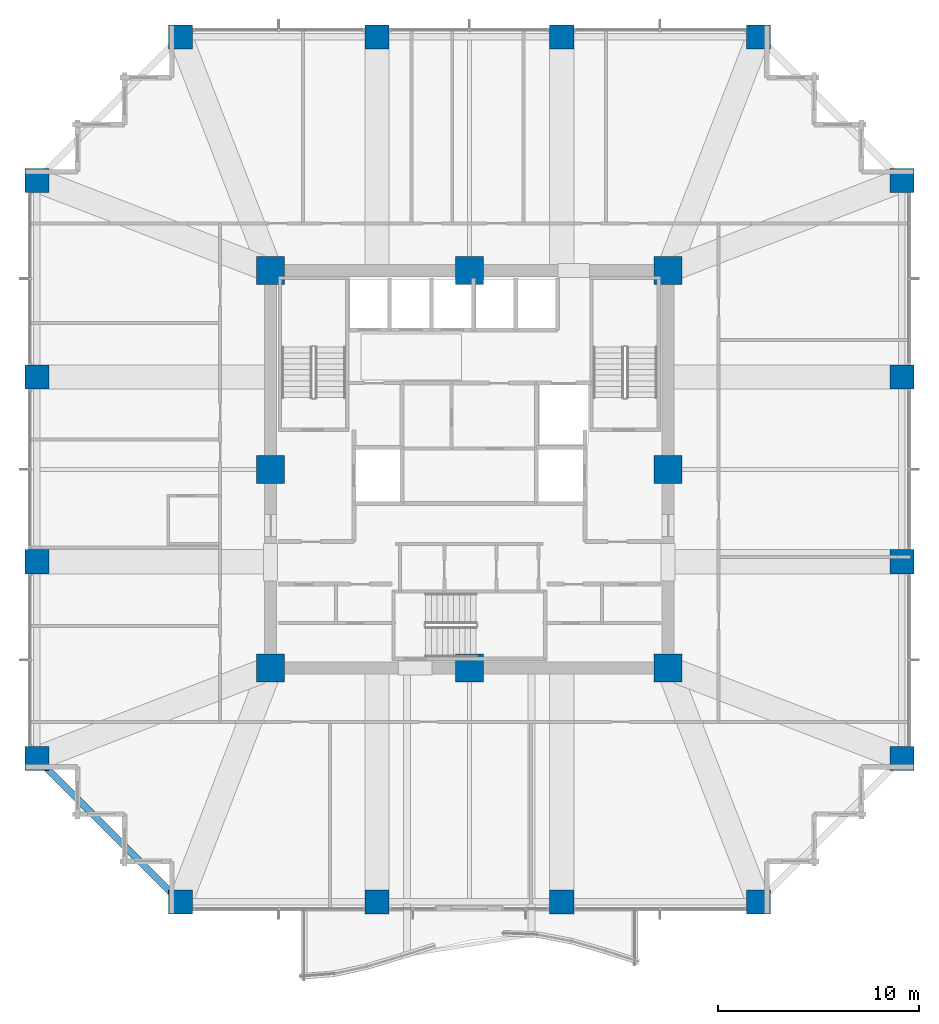
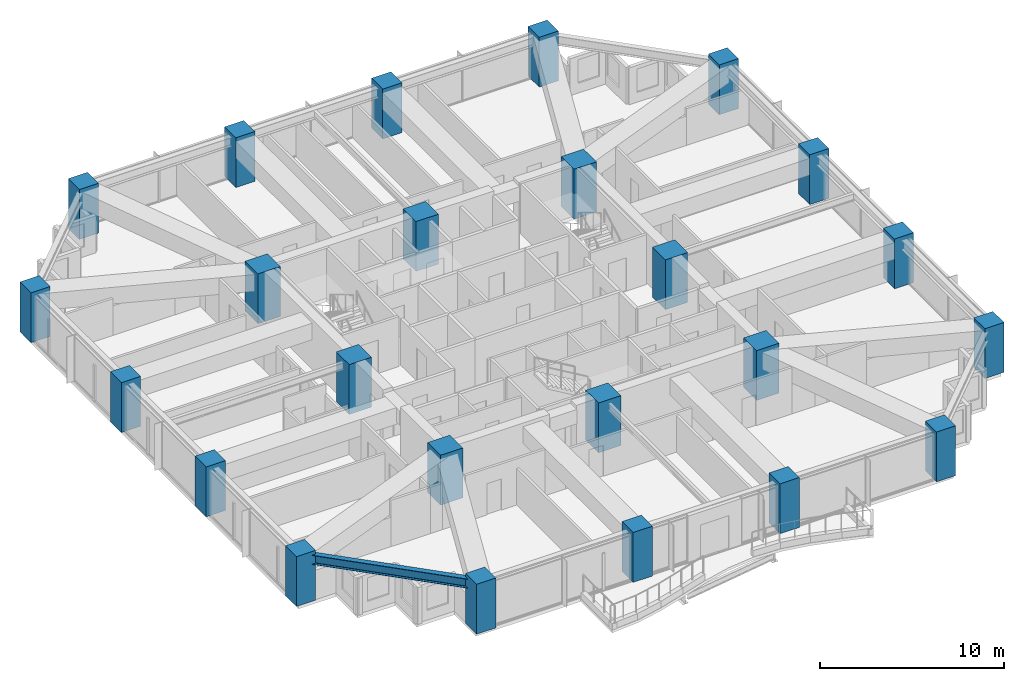
# One storey, part 1 of 37: 24 columns, 1 beam.
"""IFC4 building model written with IfcOpenShell, lengths in metres."""

from ifc_helpers import new_model, si_unit, direction, frame, origin, origin_2d, place, context, subcontext, project, spatial, rectangle, i_section, extrude, material, material_profile, profile_set, type_object, element, save


model = new_model("IFC4")

# Units and contexts
model_context = context("Model", 3, precision=1e-05, world=origin(), true_north=direction((0.0, 1.0)))
body_context = subcontext(model_context, "Body", "Model", "MODEL_VIEW")
ifc_project = project(units=[si_unit("LENGTHUNIT", "METRE"), si_unit("AREAUNIT", "SQUARE_METRE"), si_unit("VOLUMEUNIT", "CUBIC_METRE"), si_unit("PLANEANGLEUNIT", "RADIAN"), si_unit("MASSUNIT", "GRAM", prefix="KILO")], contexts=[model_context])

# Site, building, storey
site_placement = place(None, origin())
site = spatial("IfcSite", under=ifc_project, at=site_placement, CompositionType="ELEMENT")
building_placement = place(site_placement, origin())
building = spatial("IfcBuilding", under=site, at=building_placement, Name="Kolvaren Belvedere", CompositionType="ELEMENT")
storey_placement = place(building_placement, frame((0.0, 0.0, 37.0)))
storey = spatial("IfcBuildingStorey", under=building, at=storey_placement, Name="L10", CompositionType="ELEMENT", Elevation=37.0)

# Columns
ifc_material_1 = material(Name="Concrete C60/75", Category="concrete")
ifc_material_profile_1 = material_profile(ifc_material_1, rectangle(XDim=1.199951171875, YDim=1.199951171875, at=origin_2d()), Name="RC 1200X1200")
ifc_profile_set_1 = profile_set([ifc_material_profile_1], Name="Concrete C60/75")
column_type_1 = type_object("IfcColumnType", Name="COL-RC-1200", PredefinedType="COLUMN", material=ifc_profile_set_1)
for number, where, z_axis, x_axis, name in (
    (1, (-14.39990234375, -21.550048828125, 0.0), (0.0, 0.0, 1.0), (1.0, 0.0, 0.0), "L10 Perimeter Column S1"),
    (2, (-4.60009765625, -21.550048828125, 0.0), (0.0, 0.0, 1.0), (1.0, 0.0, 0.0), "L10 Perimeter Column S2"),
    (3, (4.60009765625, -21.550048828125, 0.0), (0.0, 0.0, 1.0), (1.0, 0.0, 0.0), "L10 Perimeter Column S3"),
    (4, (14.39990234375, -21.550048828125, 0.0), (0.0, 0.0, 1.0), (1.0, 0.0, 0.0), "L10 Perimeter Column S4"),
    (5, (-14.39990234375, 21.550048828125, 0.0), (0.0, 0.0, 1.0), (1.0, 0.0, 0.0), "L10 Perimeter Column N1"),
    (6, (-4.60009765625, 21.550048828125, 0.0), (0.0, 0.0, 1.0), (1.0, 0.0, 0.0), "L10 Perimeter Column N2"),
    (7, (4.60009765625, 21.550048828125, 0.0), (0.0, 0.0, 1.0), (1.0, 0.0, 0.0), "L10 Perimeter Column N3"),
    (8, (14.39990234375, 21.550048828125, 0.0), (0.0, 0.0, 1.0), (1.0, 0.0, 0.0), "L10 Perimeter Column N4"),
    (9, (-21.550048828125, -14.39990234375, 0.0), (0.0, 0.0, 1.0), (1.0, 0.0, 0.0), "L10 Perimeter Column W1"),
    (10, (-21.550048828125, -4.60009765625, 0.0), (0.0, 0.0, 1.0), (1.0, 0.0, 0.0), "L10 Perimeter Column W2"),
    (11, (-21.550048828125, 4.60009765625, 0.0), (0.0, 0.0, 1.0), (1.0, 0.0, 0.0), "L10 Perimeter Column W3"),
    (12, (-21.550048828125, 14.39990234375, 0.0), (0.0, 0.0, 1.0), (1.0, 0.0, 0.0), "L10 Perimeter Column W4"),
    (13, (21.550048828125, -14.39990234375, 0.0), (0.0, 0.0, 1.0), (1.0, 0.0, 0.0), "L10 Perimeter Column E1"),
    (14, (21.550048828125, -4.60009765625, 0.0), (0.0, 0.0, 1.0), (1.0, 0.0, 0.0), "L10 Perimeter Column E2"),
    (15, (21.550048828125, 4.60009765625, 0.0), (0.0, 0.0, 1.0), (1.0, 0.0, 0.0), "L10 Perimeter Column E3"),
    (16, (21.550048828125, 14.39990234375, 0.0), (0.0, 0.0, 1.0), (1.0, 0.0, 0.0), "L10 Perimeter Column E4"),
):
    element("IfcColumn", number, at=place(storey_placement, frame(where, z_axis=z_axis, x_axis=x_axis)), inside=storey, type_object=column_type_1, Name=name, PredefinedType="COLUMN", context=body_context, shape_type="SweptSolid", body=[
        extrude(rectangle(XDim=1.199951171875, YDim=1.199951171875, at=origin_2d()), origin(), (0.0, 0.0, 1.0), 3.300048828125),
    ])
ifc_material_2 = material(Name="Concrete C60/75", Category="concrete")
ifc_material_profile_2 = material_profile(ifc_material_2, rectangle(XDim=1.39990234375, YDim=1.39990234375, at=origin_2d()), Name="RC 1400X1400")
ifc_profile_set_2 = profile_set([ifc_material_profile_2], Name="Concrete C60/75")
column_type_2 = type_object("IfcColumnType", Name="COL-RC-1400", PredefinedType="COLUMN", material=ifc_profile_set_2)
for number, where, z_axis, x_axis, name in (
    (17, (-9.89990234375, -9.89990234375, 0.0), (0.0, 0.0, 1.0), (1.0, 0.0, 0.0), "L10 Core Column CC1"),
    (18, (9.89990234375, -9.89990234375, 0.0), (0.0, 0.0, 1.0), (1.0, 0.0, 0.0), "L10 Core Column CC2"),
    (19, (9.89990234375, 9.89990234375, 0.0), (0.0, 0.0, 1.0), (1.0, 0.0, 0.0), "L10 Core Column CC3"),
    (20, (-9.89990234375, 9.89990234375, 0.0), (0.0, 0.0, 1.0), (1.0, 0.0, 0.0), "L10 Core Column CC4"),
    (21, (0.0, -9.89990234375, 0.0), (0.0, 0.0, 1.0), (1.0, 0.0, 0.0), "L10 Core Column CM1"),
    (22, (9.89990234375, 0.0, 0.0), (0.0, 0.0, 1.0), (1.0, 0.0, 0.0), "L10 Core Column CM2"),
    (23, (0.0, 9.89990234375, 0.0), (0.0, 0.0, 1.0), (1.0, 0.0, 0.0), "L10 Core Column CM3"),
    (24, (-9.89990234375, 0.0, 0.0), (0.0, 0.0, 1.0), (1.0, 0.0, 0.0), "L10 Core Column CM4"),
):
    element("IfcColumn", number, at=place(storey_placement, frame(where, z_axis=z_axis, x_axis=x_axis)), inside=storey, type_object=column_type_2, Name=name, PredefinedType="COLUMN", context=body_context, shape_type="SweptSolid", body=[
        extrude(rectangle(XDim=1.39990234375, YDim=1.39990234375, at=origin_2d()), origin(), (0.0, 0.0, 1.0), 3.300048828125),
    ])

# Beam
ifc_material_3 = material(Name="Structural steel ASTM A992 Grade 50", Category="steel")
ifc_material_profile_3 = material_profile(ifc_material_3, i_section(OverallWidth=0.324951171875, OverallDepth=0.615966796875, WebThickness=0.013916015625, FlangeThickness=0.021484375, FilletRadius=0.02001953125, at=origin_2d()), Name="W24X117")
ifc_profile_set_3 = profile_set([ifc_material_profile_3], Name="Structural steel ASTM A992 Grade 50")
beam_type = type_object("IfcBeamType", Name="BM-SPAN-W24X117", PredefinedType="SPANDREL", material=ifc_profile_set_3)
beam_placement = place(storey_placement, frame((-21.359130859375, -14.5908203125, 2.751953125), z_axis=(0.707106781187, -0.707106781187, 0.0), x_axis=(0.707106781187, 0.707106781187, 0.0)))
element("IfcBeam", 25, at=beam_placement, inside=storey, type_object=beam_type, Name="L10 Perimeter Spandrel W1-S1", PredefinedType="SPANDREL", context=body_context, shape_type="SweptSolid", body=[
    extrude(i_section(OverallWidth=0.324951171875, OverallDepth=0.615966796875, WebThickness=0.013916015625, FlangeThickness=0.021484375, FilletRadius=0.02001953125, at=origin_2d()), origin(), (0.0, 0.0, 1.0), 9.57177734375),
])

save(model, "model.ifc")
